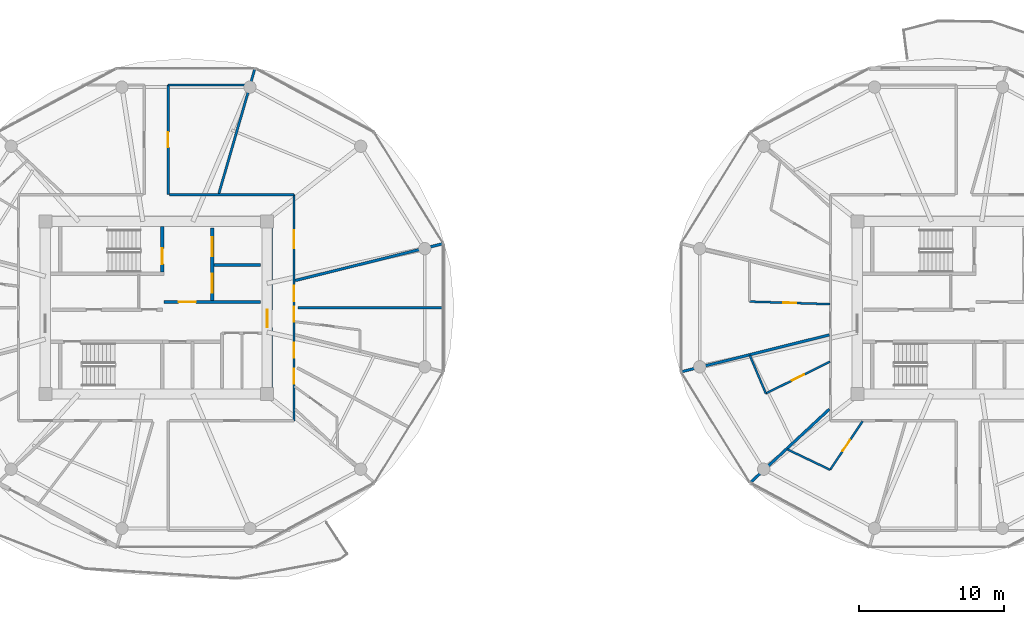
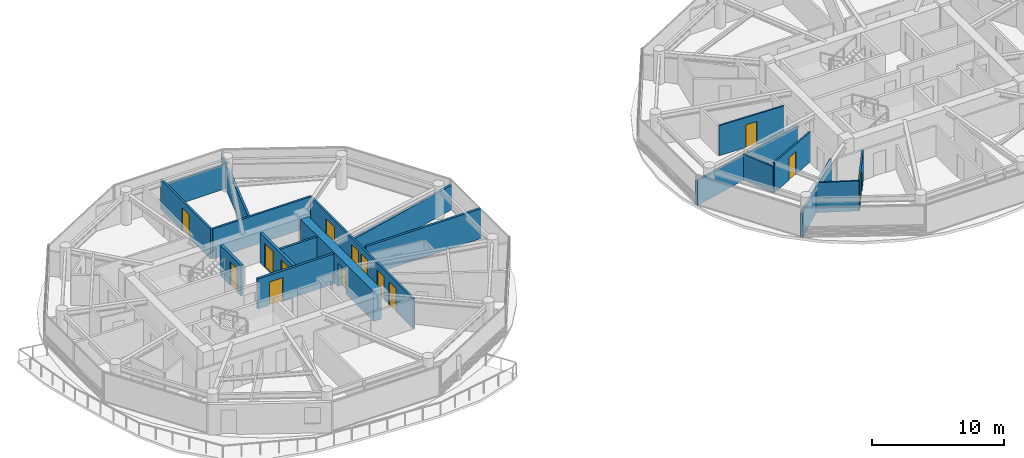
# One storey, part 15 of 24: 19 walls, 14 doors, 14 openings.
"""IFC4 building model written with IfcOpenShell, lengths in metres."""

from ifc_helpers import new_model, si_unit, direction, frame, frame_2d, origin, place, context, subcontext, project, spatial, rectangle, extrude, source, transform, mapped, material, layer, layer_set, type_object, type_shapes, element, fill, save


model = new_model("IFC4")

# Units and contexts
model_context = context("Model", 3, precision=1e-05, world=origin(), true_north=direction((0.0, 1.0)))
body_context = subcontext(model_context, "Body", "Model", "MODEL_VIEW")
ifc_project = project(units=[si_unit("LENGTHUNIT", "METRE"), si_unit("AREAUNIT", "SQUARE_METRE"), si_unit("VOLUMEUNIT", "CUBIC_METRE"), si_unit("PLANEANGLEUNIT", "RADIAN"), si_unit("MASSUNIT", "GRAM", prefix="KILO")], contexts=[model_context])

# Site, building, storey
site_placement = place(None, origin())
site = spatial("IfcSite", under=ifc_project, at=site_placement, CompositionType="ELEMENT")
building_placement = place(site_placement, origin())
building = spatial("IfcBuilding", under=site, at=building_placement, Name="Norrkilde Senior Care Towers", CompositionType="ELEMENT")
storey_placement = place(building_placement, frame((0.0, 0.0, 108.449951171875)))
storey = spatial("IfcBuildingStorey", under=building, at=storey_placement, Name="L33", CompositionType="ELEMENT", Elevation=108.449951171875)

# Wall, opening, door
ifc_material_1 = material(Name="Concrete C60/75", Category="concrete")
ifc_layer_1 = layer(ifc_material_1, 0.719970703125)
ifc_layer_set_1 = layer_set([ifc_layer_1], Name="Concrete C60/75")
wall_type_1 = type_object("IfcWallType", Name="Core Shear Wall Z2 720", PredefinedType="SHEAR", material=ifc_layer_set_1)
shared_shape_1 = source(origin(), body_context, "Body", "SweptSolid", [
    extrude(rectangle(XDim=11.0, YDim=0.719970703125, at=frame_2d((5.5, 0.0))), origin(), (0.0, 0.0, 1.0), 2.7900390625),
])
type_shapes(wall_type_1, [shared_shape_1])
wall_1_placement = place(storey_placement, frame((-20.35009765625, 5.5, 0.0), z_axis=(0.0, 0.0, 1.0), x_axis=(0.0, -1.0, 0.0)))
wall_1 = element("IfcWall", 1, at=wall_1_placement, inside=storey, type_object=wall_type_1, Name="L33 Core W East Shear Wall", PredefinedType="SHEAR", context=body_context, shape_type="MappedRepresentation", body=[
    mapped(shared_shape_1, transform((0.0, 0.0, 0.0), x_axis=(1.0, 0.0, 0.0), y_axis=(0.0, 1.0, 0.0), z_axis=(0.0, 0.0, 1.0), scale=1.0)),
])
opening_1_placement = place(wall_1_placement, frame((5.64990234375, 0.0, 0.0)))
opening_1 = element("IfcOpeningElement", 2, at=opening_1_placement, cuts=wall_1, Name="Opening D-04", PredefinedType="OPENING", context=body_context, shape_type="SweptSolid", body=[
    extrude(rectangle(XDim=1.199951171875, YDim=2.14990234375, at=frame_2d((0.60009765625, 1.074951171875))), frame((0.0, 0.369873046875, 0.0), z_axis=(0.0, -1.0, 0.0), x_axis=(1.0, 0.0, 0.0)), (0.0, 0.0, 1.0), 0.739990234375),
])
ifc_material_2 = material(Name="Galvanised Painted Steel", Category="steel")
door_type_1 = type_object("IfcDoorType", Name="Firefighting Lobby Fire Door 1200x2150", OperationType="NOTDEFINED", PredefinedType="DOOR", material=ifc_material_2)
shared_shape_2 = source(origin(), body_context, "Body", "SweptSolid", [
    extrude(rectangle(XDim=1.199951171875, YDim=2.14990234375, at=frame_2d((0.60009765625, 1.074951171875))), frame((0.0, 0.02490234375, 0.0), z_axis=(0.0, -1.0, 0.0), x_axis=(1.0, 0.0, 0.0)), (0.0, 0.0, 1.0), 0.050048828125),
])
type_shapes(door_type_1, [shared_shape_2])
door_1_placement = place(opening_1_placement, frame((1.199951171875, 0.0, 0.0), z_axis=(0.0, 0.0, 1.0), x_axis=(-1.0, 0.0, 0.0)))
door_1 = element("IfcDoor", 3, at=door_1_placement, inside=storey, type_object=door_type_1, Name="L33 Core W East Portal Door", OperationType="SINGLE_SWING_RIGHT", OverallHeight=2.14990234375, OverallWidth=1.199951171875, PredefinedType="DOOR", context=body_context, shape_type="MappedRepresentation", body=[
    mapped(shared_shape_2, transform((0.0, 0.0, 0.0), x_axis=(1.0, 0.0, 0.0), y_axis=(0.0, 1.0, 0.0), z_axis=(0.0, 0.0, 1.0), scale=1.0)),
])
fill(opening_1, door_1)

# Wall, openings, doors
ifc_material_3 = material(Name="Concrete C45/55", Category="concrete")
ifc_layer_2 = layer(ifc_material_3, 0.239990234375)
ifc_layer_set_2 = layer_set([ifc_layer_2], Name="Concrete C45/55")
wall_type_2 = type_object("IfcWallType", Name="Lift and Plant Rated Enclosure Partition 240", PredefinedType="PARTITIONING", material=ifc_layer_set_2)
shared_shape_3 = source(origin(), body_context, "Body", "SweptSolid", [
    extrude(rectangle(XDim=5.0, YDim=0.239990234375, at=frame_2d((2.5, 0.0))), origin(), (0.0, 0.0, 1.0), 2.775146484375),
])
type_shapes(wall_type_2, [shared_shape_3])
wall_2_placement = place(storey_placement, frame((-24.139892578125, 0.5, 0.0), z_axis=(0.0, 0.0, 1.0), x_axis=(0.0, 1.0, 0.0)))
wall_2 = element("IfcWall", 4, at=wall_2_placement, inside=storey, type_object=wall_type_2, Name="WL-INT-L33-W-FFLE", PredefinedType="PARTITIONING", context=body_context, shape_type="MappedRepresentation", body=[
    mapped(shared_shape_3, transform((0.0, 0.0, 0.0), x_axis=(1.0, 0.0, 0.0), y_axis=(0.0, 1.0, 0.0), z_axis=(0.0, 0.0, 1.0), scale=1.0)),
])
opening_2_placement = place(wall_2_placement, frame((3.050048828125, 0.0, 0.0)))
opening_2 = element("IfcOpeningElement", 5, at=opening_2_placement, cuts=wall_2, Name="Opening LD-02", PredefinedType="OPENING", context=body_context, shape_type="SweptSolid", body=[
    extrude(rectangle(XDim=1.300048828125, YDim=2.199951171875, at=frame_2d((0.64990234375, 1.10009765625))), frame((0.0, 0.1298828125, 0.0), z_axis=(0.0, -1.0, 0.0), x_axis=(1.0, 0.0, 0.0)), (0.0, 0.0, 1.0), 0.260009765625),
])
opening_3_placement = place(wall_2_placement, frame((0.550048828125, 0.0, 0.0)))
opening_3 = element("IfcOpeningElement", 6, at=opening_3_placement, cuts=wall_2, Name="Opening LD-02", PredefinedType="OPENING", context=body_context, shape_type="SweptSolid", body=[
    extrude(rectangle(XDim=1.300048828125, YDim=2.199951171875, at=frame_2d((0.64990234375, 1.10009765625))), frame((0.0, 0.1298828125, 0.0), z_axis=(0.0, -1.0, 0.0), x_axis=(1.0, 0.0, 0.0)), (0.0, 0.0, 1.0), 0.260009765625),
])
ifc_material_4 = material(Name="Stainless Steel", Category="steel")
door_type_2 = type_object("IfcDoorType", Name="Stretcher and FFL Landing Sliding Door 1300x2200", OperationType="NOTDEFINED", PredefinedType="DOOR", material=ifc_material_4)
shared_shape_4 = source(origin(), body_context, "Body", "SweptSolid", [
    extrude(rectangle(XDim=1.300048828125, YDim=2.199951171875, at=frame_2d((0.64990234375, 1.10009765625))), frame((0.0, 0.02490234375, 0.0), z_axis=(0.0, -1.0, 0.0), x_axis=(1.0, 0.0, 0.0)), (0.0, 0.0, 1.0), 0.050048828125),
])
type_shapes(door_type_2, [shared_shape_4])
door_2_placement = place(opening_2_placement, origin())
door_2 = element("IfcDoor", 7, at=door_2_placement, inside=storey, type_object=door_type_2, Name="L33 Firefighting Lift W1 Landing Door", OperationType="SLIDING_TO_LEFT", OverallHeight=2.199951171875, OverallWidth=1.300048828125, PredefinedType="DOOR", context=body_context, shape_type="MappedRepresentation", body=[
    mapped(shared_shape_4, transform((0.0, 0.0, 0.0), x_axis=(1.0, 0.0, 0.0), y_axis=(0.0, 1.0, 0.0), z_axis=(0.0, 0.0, 1.0), scale=1.0)),
])
fill(opening_2, door_2)
door_3_placement = place(opening_3_placement, origin())
door_3 = element("IfcDoor", 8, at=door_3_placement, inside=storey, type_object=door_type_2, Name="L33 Stretcher Lift W1 Landing Door", OperationType="SLIDING_TO_RIGHT", OverallHeight=2.199951171875, OverallWidth=1.300048828125, PredefinedType="DOOR", context=body_context, shape_type="MappedRepresentation", body=[
    mapped(shared_shape_4, transform((0.0, 0.0, 0.0), x_axis=(1.0, 0.0, 0.0), y_axis=(0.0, 1.0, 0.0), z_axis=(0.0, 0.0, 1.0), scale=1.0)),
])
fill(opening_3, door_3)

# Wall
ifc_layer_3 = layer(ifc_material_3, 0.199951171875)
ifc_layer_set_3 = layer_set([ifc_layer_3], Name="Concrete C45/55")
wall_type_3 = type_object("IfcWallType", Name="Shaft Division and Plant Partition 200", PredefinedType="PARTITIONING", material=ifc_layer_set_3)
shared_shape_5 = source(origin(), body_context, "Body", "SweptSolid", [
    extrude(rectangle(XDim=3.199951171875, YDim=0.199951171875, at=frame_2d((1.60009765625, 0.0))), origin(), (0.0, 0.0, 1.0), 2.775146484375),
])
type_shapes(wall_type_3, [shared_shape_5])
wall_3_placement = place(storey_placement, frame((-24.0, 2.949951171875, 0.0), z_axis=(0.0, 0.0, 1.0), x_axis=(1.0, 0.0, 0.0)))
element("IfcWall", 9, at=wall_3_placement, inside=storey, type_object=wall_type_3, Name="WL-INT-L33-W-FFLDIV", PredefinedType="PARTITIONING", context=body_context, shape_type="MappedRepresentation", body=[
    mapped(shared_shape_5, transform((0.0, 0.0, 0.0), x_axis=(1.0, 0.0, 0.0), y_axis=(0.0, 1.0, 0.0), z_axis=(0.0, 0.0, 1.0), scale=1.0)),
])

# Wall, opening, door
ifc_layer_4 = layer(ifc_material_3, 0.2099609375)
ifc_layer_set_4 = layer_set([ifc_layer_4], Name="Concrete C45/55")
wall_type_4 = type_object("IfcWallType", Name="Firefighting Lobby Wall 210", PredefinedType="PARTITIONING", material=ifc_layer_set_4)
shared_shape_6 = source(origin(), body_context, "Body", "SweptSolid", [
    extrude(rectangle(XDim=6.659912109375, YDim=0.2099609375, at=frame_2d((3.330078125, 0.0))), origin(), (0.0, 0.0, 1.0), 2.775146484375),
])
type_shapes(wall_type_4, [shared_shape_6])
wall_4_placement = place(storey_placement, frame((-27.4599609375, 0.389892578125, 0.0), z_axis=(0.0, 0.0, 1.0), x_axis=(1.0, 0.0, 0.0)))
wall_4 = element("IfcWall", 10, at=wall_4_placement, inside=storey, type_object=wall_type_4, Name="WL-INT-L33-W-FFLS", PredefinedType="PARTITIONING", context=body_context, shape_type="MappedRepresentation", body=[
    mapped(shared_shape_6, transform((0.0, 0.0, 0.0), x_axis=(1.0, 0.0, 0.0), y_axis=(0.0, 1.0, 0.0), z_axis=(0.0, 0.0, 1.0), scale=1.0)),
])
opening_4_placement = place(wall_4_placement, frame((1.0, 0.0, 0.0)))
opening_4 = element("IfcOpeningElement", 11, at=opening_4_placement, cuts=wall_4, Name="Opening D-04", PredefinedType="OPENING", context=body_context, shape_type="SweptSolid", body=[
    extrude(rectangle(XDim=1.199951171875, YDim=2.14990234375, at=frame_2d((0.60009765625, 1.074951171875))), frame((0.0, 0.114990234375, 0.0), z_axis=(0.0, -1.0, 0.0), x_axis=(1.0, 0.0, 0.0)), (0.0, 0.0, 1.0), 0.22998046875),
])
door_4_placement = place(opening_4_placement, frame((1.199951171875, 0.0, 0.0), z_axis=(0.0, 0.0, 1.0), x_axis=(-1.0, 0.0, 0.0)))
door_4 = element("IfcDoor", 12, at=door_4_placement, inside=storey, type_object=door_type_1, Name="L33 Firefighting Lobby W Door", OperationType="SINGLE_SWING_LEFT", OverallHeight=2.14990234375, OverallWidth=1.199951171875, PredefinedType="DOOR", context=body_context, shape_type="MappedRepresentation", body=[
    mapped(shared_shape_2, transform((0.0, 0.0, 0.0), x_axis=(1.0, 0.0, 0.0), y_axis=(0.0, 1.0, 0.0), z_axis=(0.0, 0.0, 1.0), scale=1.0)),
])
fill(opening_4, door_4)

# Wall, openings, doors
ifc_material_5 = material(Name="Gypsum Acoustic Board")
ifc_layer_5 = layer(ifc_material_5, 0.1650390625)
ifc_layer_set_5 = layer_set([ifc_layer_5], Name="Gypsum Acoustic Board")
wall_type_5 = type_object("IfcWallType", Name="Corridor Rated Partition 165", PredefinedType="PARTITIONING", material=ifc_layer_set_5)
shared_shape_7 = source(origin(), body_context, "Body", "SweptSolid", [
    extrude(rectangle(XDim=15.60009765625, YDim=0.1650390625, at=frame_2d((7.800048828125, 0.0))), origin(), (0.0, 0.0, 1.0), 2.775146484375),
])
wall_5_placement = place(storey_placement, frame((-18.5, 7.800048828125, 0.0), z_axis=(0.0, 0.0, 1.0), x_axis=(0.0, -1.0, 0.0)))
wall_5 = element("IfcWall", 13, at=wall_5_placement, inside=storey, type_object=wall_type_5, Name="WL-INT-L33-W-CRW-E-0", PredefinedType="PARTITIONING", context=body_context, shape_type="MappedRepresentation", body=[
    mapped(shared_shape_7, transform((0.0, 0.0, 0.0), x_axis=(1.0, 0.0, 0.0), y_axis=(0.0, 1.0, 0.0), z_axis=(0.0, 0.0, 1.0), scale=1.0)),
])
opening_5_placement = place(wall_5_placement, frame((12.001953125, 0.0, 0.0)))
opening_5 = element("IfcOpeningElement", 14, at=opening_5_placement, cuts=wall_5, Name="Opening D-06", PredefinedType="OPENING", context=body_context, shape_type="SweptSolid", body=[
    extrude(rectangle(XDim=1.050048828125, YDim=2.14990234375, at=frame_2d((0.52490234375, 1.074951171875))), frame((0.0, 0.092529296875, 0.0), z_axis=(0.0, -1.0, 0.0), x_axis=(1.0, 0.0, 0.0)), (0.0, 0.0, 1.0), 0.18505859375),
])
opening_6_placement = place(wall_5_placement, frame((10.210693359375, 0.0, 0.0)))
opening_6 = element("IfcOpeningElement", 15, at=opening_6_placement, cuts=wall_5, Name="Opening D-06", PredefinedType="OPENING", context=body_context, shape_type="SweptSolid", body=[
    extrude(rectangle(XDim=1.050048828125, YDim=2.14990234375, at=frame_2d((0.52490234375, 1.074951171875))), frame((0.0, 0.092529296875, 0.0), z_axis=(0.0, -1.0, 0.0), x_axis=(1.0, 0.0, 0.0)), (0.0, 0.0, 1.0), 0.18505859375),
])
opening_7_placement = place(wall_5_placement, frame((7.721923828125, 0.0, 0.0)))
opening_7 = element("IfcOpeningElement", 16, at=opening_7_placement, cuts=wall_5, Name="Opening D-06", PredefinedType="OPENING", context=body_context, shape_type="SweptSolid", body=[
    extrude(rectangle(XDim=1.050048828125, YDim=2.14990234375, at=frame_2d((0.52490234375, 1.074951171875))), frame((0.0, 0.092529296875, 0.0), z_axis=(0.0, -1.0, 0.0), x_axis=(1.0, 0.0, 0.0)), (0.0, 0.0, 1.0), 0.18505859375),
])
opening_8_placement = place(wall_5_placement, frame((6.290771484375, 0.0, 0.0)))
opening_8 = element("IfcOpeningElement", 17, at=opening_8_placement, cuts=wall_5, Name="Opening D-06", PredefinedType="OPENING", context=body_context, shape_type="SweptSolid", body=[
    extrude(rectangle(XDim=1.050048828125, YDim=2.14990234375, at=frame_2d((0.52490234375, 1.074951171875))), frame((0.0, 0.092529296875, 0.0), z_axis=(0.0, -1.0, 0.0), x_axis=(1.0, 0.0, 0.0)), (0.0, 0.0, 1.0), 0.18505859375),
])
opening_9_placement = place(wall_5_placement, frame((2.464599609375, 0.0, 0.0)))
opening_9 = element("IfcOpeningElement", 18, at=opening_9_placement, cuts=wall_5, Name="Opening D-05", PredefinedType="OPENING", context=body_context, shape_type="SweptSolid", body=[
    extrude(rectangle(XDim=1.25, YDim=2.199951171875, at=frame_2d((0.625, 1.10009765625))), frame((0.0, 0.092529296875, 0.0), z_axis=(0.0, -1.0, 0.0), x_axis=(1.0, 0.0, 0.0)), (0.0, 0.0, 1.0), 0.18505859375),
])
ifc_material_6 = material(Name="Nordic Ash Timber", Category="wood")
door_type_3 = type_object("IfcDoorType", Name="Care Bedroom Bariatric Door 1250x2200", OperationType="NOTDEFINED", PredefinedType="DOOR", material=ifc_material_6)
shared_shape_8 = source(origin(), body_context, "Body", "SweptSolid", [
    extrude(rectangle(XDim=1.25, YDim=2.199951171875, at=frame_2d((0.625, 1.10009765625))), frame((0.0, 0.02490234375, 0.0), z_axis=(0.0, -1.0, 0.0), x_axis=(1.0, 0.0, 0.0)), (0.0, 0.0, 1.0), 0.050048828125),
])
type_shapes(door_type_3, [shared_shape_8])
door_5_placement = place(opening_9_placement, frame((1.25, 0.0, 0.0), z_axis=(0.0, 0.0, 1.0), x_axis=(-1.0, 0.0, 0.0)))
door_5 = element("IfcDoor", 19, at=door_5_placement, inside=storey, type_object=door_type_3, Name="L33 Resident Family Conference Room Door", OperationType="SINGLE_SWING_LEFT", OverallHeight=2.199951171875, OverallWidth=1.25, PredefinedType="DOOR", context=body_context, shape_type="MappedRepresentation", body=[
    mapped(shared_shape_8, transform((0.0, 0.0, 0.0), x_axis=(1.0, 0.0, 0.0), y_axis=(0.0, 1.0, 0.0), z_axis=(0.0, 0.0, 1.0), scale=1.0)),
])
fill(opening_9, door_5)
door_type_4 = type_object("IfcDoorType", Name="Apartment Entrance Fire Door 1050x2150", OperationType="NOTDEFINED", PredefinedType="DOOR", material=ifc_material_6)
shared_shape_9 = source(origin(), body_context, "Body", "SweptSolid", [
    extrude(rectangle(XDim=1.050048828125, YDim=2.14990234375, at=frame_2d((0.52490234375, 1.074951171875))), frame((0.0, 0.02490234375, 0.0), z_axis=(0.0, -1.0, 0.0), x_axis=(1.0, 0.0, 0.0)), (0.0, 0.0, 1.0), 0.050048828125),
])
type_shapes(door_type_4, [shared_shape_9])
door_6_placement = place(opening_5_placement, frame((1.050048828125, 0.0, 0.0), z_axis=(0.0, 0.0, 1.0), x_axis=(-1.0, 0.0, 0.0)))
door_6 = element("IfcDoor", 20, at=door_6_placement, inside=storey, type_object=door_type_4, Name="L33 Care Suite 3310A Entrance Door", OperationType="SINGLE_SWING_LEFT", OverallHeight=2.14990234375, OverallWidth=1.050048828125, PredefinedType="DOOR", context=body_context, shape_type="MappedRepresentation", body=[
    mapped(shared_shape_9, transform((0.0, 0.0, 0.0), x_axis=(1.0, 0.0, 0.0), y_axis=(0.0, 1.0, 0.0), z_axis=(0.0, 0.0, 1.0), scale=1.0)),
])
fill(opening_5, door_6)
door_7_placement = place(opening_6_placement, frame((1.050048828125, 0.0, 0.0), z_axis=(0.0, 0.0, 1.0), x_axis=(-1.0, 0.0, 0.0)))
door_7 = element("IfcDoor", 21, at=door_7_placement, inside=storey, type_object=door_type_4, Name="L33 Therapy Day Lounge 10 Door", OperationType="SINGLE_SWING_RIGHT", OverallHeight=2.14990234375, OverallWidth=1.050048828125, PredefinedType="DOOR", context=body_context, shape_type="MappedRepresentation", body=[
    mapped(shared_shape_9, transform((0.0, 0.0, 0.0), x_axis=(1.0, 0.0, 0.0), y_axis=(0.0, 1.0, 0.0), z_axis=(0.0, 0.0, 1.0), scale=1.0)),
])
fill(opening_6, door_7)
door_8_placement = place(opening_7_placement, frame((1.050048828125, 0.0, 0.0), z_axis=(0.0, 0.0, 1.0), x_axis=(-1.0, 0.0, 0.0)))
door_8 = element("IfcDoor", 22, at=door_8_placement, inside=storey, type_object=door_type_4, Name="L33 Care Suite 3311A Entrance Door", OperationType="SINGLE_SWING_RIGHT", OverallHeight=2.14990234375, OverallWidth=1.050048828125, PredefinedType="DOOR", context=body_context, shape_type="MappedRepresentation", body=[
    mapped(shared_shape_9, transform((0.0, 0.0, 0.0), x_axis=(1.0, 0.0, 0.0), y_axis=(0.0, 1.0, 0.0), z_axis=(0.0, 0.0, 1.0), scale=1.0)),
])
fill(opening_7, door_8)
door_9_placement = place(opening_8_placement, frame((1.050048828125, 0.0, 0.0), z_axis=(0.0, 0.0, 1.0), x_axis=(-1.0, 0.0, 0.0)))
door_9 = element("IfcDoor", 23, at=door_9_placement, inside=storey, type_object=door_type_4, Name="L33 Therapy Day Lounge 11 Door", OperationType="SINGLE_SWING_LEFT", OverallHeight=2.14990234375, OverallWidth=1.050048828125, PredefinedType="DOOR", context=body_context, shape_type="MappedRepresentation", body=[
    mapped(shared_shape_9, transform((0.0, 0.0, 0.0), x_axis=(1.0, 0.0, 0.0), y_axis=(0.0, 1.0, 0.0), z_axis=(0.0, 0.0, 1.0), scale=1.0)),
])
fill(opening_8, door_9)

# Wall, opening, door
ifc_layer_6 = layer(ifc_material_3, 0.239990234375)
ifc_layer_set_6 = layer_set([ifc_layer_6], Name="Concrete C45/55")
wall_type_6 = type_object("IfcWallType", Name="Shaft and Stair Enclosure Wall 240", PredefinedType="PARTITIONING", material=ifc_layer_set_6)
shared_shape_10 = source(origin(), body_context, "Body", "SweptSolid", [
    extrude(rectangle(XDim=3.14013671875, YDim=0.239990234375, at=frame_2d((1.570068359375, 0.0))), origin(), (0.0, 0.0, 1.0), 2.7900390625),
])
type_shapes(wall_type_6, [shared_shape_10])
wall_6_placement = place(storey_placement, frame((-27.580078125, 2.449951171875, 0.0), z_axis=(0.0, 0.0, 1.0), x_axis=(0.0, 1.0, 0.0)))
wall_6 = element("IfcWall", 24, at=wall_6_placement, inside=storey, type_object=wall_type_6, Name="WL-INT-L33-W-ST1E", PredefinedType="PARTITIONING", context=body_context, shape_type="MappedRepresentation", body=[
    mapped(shared_shape_10, transform((0.0, 0.0, 0.0), x_axis=(1.0, 0.0, 0.0), y_axis=(0.0, 1.0, 0.0), z_axis=(0.0, 0.0, 1.0), scale=1.0)),
])
opening_10_placement = place(wall_6_placement, frame((0.550048828125, 0.0, 0.0)))
opening_10 = element("IfcOpeningElement", 25, at=opening_10_placement, cuts=wall_6, Name="Opening D-03", PredefinedType="OPENING", context=body_context, shape_type="SweptSolid", body=[
    extrude(rectangle(XDim=1.10009765625, YDim=2.14990234375, at=frame_2d((0.550048828125, 1.074951171875))), frame((0.0, 0.1298828125, 0.0), z_axis=(0.0, -1.0, 0.0), x_axis=(1.0, 0.0, 0.0)), (0.0, 0.0, 1.0), 0.260009765625),
])
door_type_5 = type_object("IfcDoorType", Name="Stairwell Protected Fire Door 1100x2150", OperationType="NOTDEFINED", PredefinedType="DOOR", material=ifc_material_2)
shared_shape_11 = source(origin(), body_context, "Body", "SweptSolid", [
    extrude(rectangle(XDim=1.10009765625, YDim=2.14990234375, at=frame_2d((0.550048828125, 1.074951171875))), frame((0.0, 0.02490234375, 0.0), z_axis=(0.0, -1.0, 0.0), x_axis=(1.0, 0.0, 0.0)), (0.0, 0.0, 1.0), 0.050048828125),
])
type_shapes(door_type_5, [shared_shape_11])
door_10_placement = place(opening_10_placement, origin())
door_10 = element("IfcDoor", 26, at=door_10_placement, inside=storey, type_object=door_type_5, Name="L33 Stair W1 Fire Door", OperationType="SINGLE_SWING_LEFT", OverallHeight=2.14990234375, OverallWidth=1.10009765625, PredefinedType="DOOR", context=body_context, shape_type="MappedRepresentation", body=[
    mapped(shared_shape_11, transform((0.0, 0.0, 0.0), x_axis=(1.0, 0.0, 0.0), y_axis=(0.0, 1.0, 0.0), z_axis=(0.0, 0.0, 1.0), scale=1.0)),
])
fill(opening_10, door_10)

# Walls
ifc_layer_7 = layer(ifc_material_5, 0.18994140625)
ifc_layer_set_7 = layer_set([ifc_layer_7], Name="Gypsum Acoustic Board")
wall_type_7 = type_object("IfcWallType", Name="Unit Demising Acoustic Wall 190", PredefinedType="PARTITIONING", material=ifc_layer_set_7)
shared_shape_12 = source(origin(), body_context, "Body", "SweptSolid", [
    extrude(rectangle(XDim=7.482177734375, YDim=0.18994140625, at=frame_2d((3.7412109375, 0.0))), origin(), (0.0, 0.0, 1.0), 2.275146484375),
])
wall_7_placement = place(storey_placement, frame((18.419921875, -6.998046875, 0.0), z_axis=(0.0, 0.0, 1.0), x_axis=(-0.732508698043, -0.680757671489, 0.0)))
element("IfcWall", 27, at=wall_7_placement, inside=storey, type_object=wall_type_7, Name="WL-INT-L33-E-DEM-07-0", PredefinedType="PARTITIONING", context=body_context, shape_type="MappedRepresentation", body=[
    mapped(shared_shape_12, transform((0.0, 0.0, 0.0), x_axis=(1.0, 0.0, 0.0), y_axis=(0.0, 1.0, 0.0), z_axis=(0.0, 0.0, 1.0), scale=1.0)),
])
shared_shape_13 = source(origin(), body_context, "Body", "SweptSolid", [
    extrude(rectangle(XDim=10.5556640625, YDim=0.18994140625, at=frame_2d((5.27783203125, 0.0))), origin(), (0.0, 0.0, 1.0), 2.275146484375),
])
for number, where, z_axis, x_axis, name in (
    (28, (-18.419921875, 1.875, 0.0), (0.0, 0.0, 1.0), (0.970363857851, 0.241648470667, 0.0), "WL-INT-L33-W-DEM-00-0"),
    (29, (18.419921875, -1.875, 0.0), (0.0, 0.0, 1.0), (-0.970363857851, -0.241648470667, 0.0), "WL-INT-L33-E-DEM-06-0"),
):
    element("IfcWall", number, at=place(storey_placement, frame(where, z_axis=z_axis, x_axis=x_axis)), inside=storey, type_object=wall_type_7, Name=name, PredefinedType="PARTITIONING", context=body_context, shape_type="MappedRepresentation", body=[
        mapped(shared_shape_13, transform((0.0, 0.0, 0.0), x_axis=(1.0, 0.0, 0.0), y_axis=(0.0, 1.0, 0.0), z_axis=(0.0, 0.0, 1.0), scale=1.0)),
    ])
shared_shape_14 = source(origin(), body_context, "Body", "SweptSolid", [
    extrude(rectangle(XDim=8.60009765625, YDim=0.1650390625, at=frame_2d((4.300048828125, 0.0))), origin(), (0.0, 0.0, 1.0), 2.775146484375),
])
wall_8_placement = place(storey_placement, frame((-27.10009765625, 7.800048828125, 0.0), z_axis=(0.0, 0.0, 1.0), x_axis=(1.0, 0.0, 0.0)))
element("IfcWall", 30, at=wall_8_placement, inside=storey, type_object=wall_type_5, Name="WL-INT-L33-W-CRW-N-1", PredefinedType="PARTITIONING", context=body_context, shape_type="MappedRepresentation", body=[
    mapped(shared_shape_14, transform((0.0, 0.0, 0.0), x_axis=(1.0, 0.0, 0.0), y_axis=(0.0, 1.0, 0.0), z_axis=(0.0, 0.0, 1.0), scale=1.0)),
])
shared_shape_15 = source(origin(), body_context, "Body", "SweptSolid", [
    extrude(rectangle(XDim=8.9892578125, YDim=0.1650390625, at=frame_2d((4.49462890625, 0.0))), origin(), (0.0, 0.0, 1.0), 2.275146484375),
])
wall_9_placement = place(storey_placement, frame((-23.677978515625, 7.8798828125, 0.0), z_axis=(0.0, 0.0, 1.0), x_axis=(0.27702323008, 0.960863221274, 0.0)))
element("IfcWall", 31, at=wall_9_placement, inside=storey, type_object=wall_type_5, Name="WL-INT-L33-W-DEM-02-0", PredefinedType="PARTITIONING", context=body_context, shape_type="MappedRepresentation", body=[
    mapped(shared_shape_15, transform((0.0, 0.0, 0.0), x_axis=(1.0, 0.0, 0.0), y_axis=(0.0, 1.0, 0.0), z_axis=(0.0, 0.0, 1.0), scale=1.0)),
])

# Wall, opening, door
shared_shape_16 = source(origin(), body_context, "Body", "SweptSolid", [
    extrude(rectangle(XDim=7.56005859375, YDim=0.1650390625, at=frame_2d((3.780029296875, 0.0))), origin(), (0.0, 0.0, 1.0), 2.775146484375),
])
wall_10_placement = place(storey_placement, frame((-27.179931640625, 7.800048828125, 0.0), z_axis=(0.0, 0.0, 1.0), x_axis=(0.0, 1.0, 0.0)))
wall_10 = element("IfcWall", 32, at=wall_10_placement, inside=storey, type_object=wall_type_5, Name="WL-INT-L33-W-PKW-NEL", PredefinedType="PARTITIONING", context=body_context, shape_type="MappedRepresentation", body=[
    mapped(shared_shape_16, transform((0.0, 0.0, 0.0), x_axis=(1.0, 0.0, 0.0), y_axis=(0.0, 1.0, 0.0), z_axis=(0.0, 0.0, 1.0), scale=1.0)),
])
opening_11_placement = place(wall_10_placement, frame((3.2548828125, 0.0, 0.0)))
opening_11 = element("IfcOpeningElement", 33, at=opening_11_placement, cuts=wall_10, Name="Opening D-06", PredefinedType="OPENING", context=body_context, shape_type="SweptSolid", body=[
    extrude(rectangle(XDim=1.050048828125, YDim=2.14990234375, at=frame_2d((0.52490234375, 1.074951171875))), frame((0.0, 0.092529296875, 0.0), z_axis=(0.0, -1.0, 0.0), x_axis=(1.0, 0.0, 0.0)), (0.0, 0.0, 1.0), 0.18505859375),
])
door_11_placement = place(opening_11_placement, frame((1.050048828125, 0.0, 0.0), z_axis=(0.0, 0.0, 1.0), x_axis=(-1.0, 0.0, 0.0)))
door_11 = element("IfcDoor", 34, at=door_11_placement, inside=storey, type_object=door_type_4, Name="L33 Reading Lounge NEL Door", OperationType="SINGLE_SWING_RIGHT", OverallHeight=2.14990234375, OverallWidth=1.050048828125, PredefinedType="DOOR", context=body_context, shape_type="MappedRepresentation", body=[
    mapped(shared_shape_9, transform((0.0, 0.0, 0.0), x_axis=(1.0, 0.0, 0.0), y_axis=(0.0, 1.0, 0.0), z_axis=(0.0, 0.0, 1.0), scale=1.0)),
])
fill(opening_11, door_11)

# Walls
shared_shape_17 = source(origin(), body_context, "Body", "SweptSolid", [
    extrude(rectangle(XDim=5.81396484375, YDim=0.1650390625, at=frame_2d((2.906982421875, 0.0))), origin(), (0.0, 0.0, 1.0), 2.275146484375),
])
type_shapes(wall_type_5, [shared_shape_7, shared_shape_14, shared_shape_15, shared_shape_16, shared_shape_17])
wall_11_placement = place(storey_placement, frame((-27.179931640625, 15.360107421875, 0.0), z_axis=(0.0, 0.0, 1.0), x_axis=(1.0, 0.0, 0.0)))
element("IfcWall", 35, at=wall_11_placement, inside=storey, type_object=wall_type_5, Name="WL-INT-L33-W-PKH-NEL-0", PredefinedType="PARTITIONING", context=body_context, shape_type="MappedRepresentation", body=[
    mapped(shared_shape_17, transform((0.0, 0.0, 0.0), x_axis=(1.0, 0.0, 0.0), y_axis=(0.0, 1.0, 0.0), z_axis=(0.0, 0.0, 1.0), scale=1.0)),
])
shared_shape_18 = source(origin(), body_context, "Body", "SweptSolid", [
    extrude(rectangle(XDim=10.035888671875, YDim=0.18994140625, at=frame_2d((5.01806640625, 0.0))), origin(), (0.0, 0.0, 1.0), 2.775146484375),
])
type_shapes(wall_type_7, [shared_shape_12, shared_shape_13, shared_shape_18])
wall_12_placement = place(storey_placement, frame((-18.212890625, 0.0, 0.0), z_axis=(0.0, 0.0, 1.0), x_axis=(1.0, 0.0, 0.0)))
element("IfcWall", 36, at=wall_12_placement, inside=storey, type_object=wall_type_7, Name="WL-INT-L33-W-CMID-11", PredefinedType="PARTITIONING", context=body_context, shape_type="MappedRepresentation", body=[
    mapped(shared_shape_18, transform((0.0, 0.0, 0.0), x_axis=(1.0, 0.0, 0.0), y_axis=(0.0, 1.0, 0.0), z_axis=(0.0, 0.0, 1.0), scale=1.0)),
])

# Wall, opening, door
ifc_layer_8 = layer(ifc_material_5, 0.139892578125)
ifc_layer_set_8 = layer_set([ifc_layer_8], Name="Gypsum Acoustic Board")
wall_type_8 = type_object("IfcWallType", Name="En-suite Wet Room Wall 140", PredefinedType="PARTITIONING", material=ifc_layer_set_8)
shared_shape_19 = source(origin(), body_context, "Body", "SweptSolid", [
    extrude(rectangle(XDim=4.02734375, YDim=0.139892578125, at=frame_2d((2.013671875, 0.0))), origin(), (0.0, 0.0, 1.0), 2.775146484375),
])
wall_13_placement = place(storey_placement, frame((20.714111328125, -7.830078125, 0.0), z_axis=(0.0, 0.0, 1.0), x_axis=(-0.555832825922, -0.831294093343, 0.0)))
wall_13 = element("IfcWall", 37, at=wall_13_placement, inside=storey, type_object=wall_type_8, Name="WL-INT-L33-E-ES-07", PredefinedType="PARTITIONING", context=body_context, shape_type="MappedRepresentation", body=[
    mapped(shared_shape_19, transform((0.0, 0.0, 0.0), x_axis=(1.0, 0.0, 0.0), y_axis=(0.0, 1.0, 0.0), z_axis=(0.0, 0.0, 1.0), scale=1.0)),
])
opening_12_placement = place(wall_13_placement, frame((1.5537109375, 0.0, 0.0)))
opening_12 = element("IfcOpeningElement", 38, at=opening_12_placement, cuts=wall_13, Name="Opening D-08", PredefinedType="OPENING", context=body_context, shape_type="SweptSolid", body=[
    extrude(rectangle(XDim=0.919921875, YDim=2.10009765625, at=frame_2d((0.4599609375, 1.050048828125))), frame((0.0, 0.079833984375, 0.0), z_axis=(0.0, -1.0, 0.0), x_axis=(1.0, 0.0, 0.0)), (0.0, 0.0, 1.0), 0.159912109375),
])
door_type_6 = type_object("IfcDoorType", Name="Accessible Wet Room Door 920x2100", OperationType="NOTDEFINED", PredefinedType="DOOR", material=ifc_material_6)
shared_shape_20 = source(origin(), body_context, "Body", "SweptSolid", [
    extrude(rectangle(XDim=0.919921875, YDim=2.10009765625, at=frame_2d((0.4599609375, 1.050048828125))), frame((0.0, 0.02490234375, 0.0), z_axis=(0.0, -1.0, 0.0), x_axis=(1.0, 0.0, 0.0)), (0.0, 0.0, 1.0), 0.050048828125),
])
type_shapes(door_type_6, [shared_shape_20])
door_12_placement = place(opening_12_placement, origin())
door_12 = element("IfcDoor", 39, at=door_12_placement, inside=storey, type_object=door_type_6, Name="L33 Studio 33D Bathroom Door", OperationType="SINGLE_SWING_LEFT", OverallHeight=2.10009765625, OverallWidth=0.919921875, PredefinedType="DOOR", context=body_context, shape_type="MappedRepresentation", body=[
    mapped(shared_shape_20, transform((0.0, 0.0, 0.0), x_axis=(1.0, 0.0, 0.0), y_axis=(0.0, 1.0, 0.0), z_axis=(0.0, 0.0, 1.0), scale=1.0)),
])
fill(opening_12, door_12)

# Wall
shared_shape_21 = source(origin(), body_context, "Body", "SweptSolid", [
    extrude(rectangle(XDim=3.291015625, YDim=0.139892578125, at=frame_2d((1.6455078125, 0.0))), origin(), (0.0, 0.0, 1.0), 2.775146484375),
])
wall_14_placement = place(storey_placement, frame((18.4755859375, -11.177978515625, 0.0), z_axis=(0.0, 0.0, 1.0), x_axis=(-0.902381393443, 0.430938302739, 0.0)))
element("IfcWall", 40, at=wall_14_placement, inside=storey, type_object=wall_type_8, Name="WL-INT-L33-E-EF-07", PredefinedType="PARTITIONING", context=body_context, shape_type="MappedRepresentation", body=[
    mapped(shared_shape_21, transform((0.0, 0.0, 0.0), x_axis=(1.0, 0.0, 0.0), y_axis=(0.0, 1.0, 0.0), z_axis=(0.0, 0.0, 1.0), scale=1.0)),
])

# Wall, opening, door
shared_shape_22 = source(origin(), body_context, "Body", "SweptSolid", [
    extrude(rectangle(XDim=5.556884765625, YDim=0.139892578125, at=frame_2d((2.7783203125, 0.0))), origin(), (0.0, 0.0, 1.0), 2.775146484375),
])
wall_15_placement = place(storey_placement, frame((18.469970703125, 0.244140625, 0.0), z_axis=(0.0, 0.0, 1.0), x_axis=(-0.999468495627, 0.03259948234, 0.0)))
wall_15 = element("IfcWall", 41, at=wall_15_placement, inside=storey, type_object=wall_type_8, Name="WL-INT-L33-E-ES-05", PredefinedType="PARTITIONING", context=body_context, shape_type="MappedRepresentation", body=[
    mapped(shared_shape_22, transform((0.0, 0.0, 0.0), x_axis=(1.0, 0.0, 0.0), y_axis=(0.0, 1.0, 0.0), z_axis=(0.0, 0.0, 1.0), scale=1.0)),
])
opening_13_placement = place(wall_15_placement, frame((2.318359375, 0.0, 0.0)))
opening_13 = element("IfcOpeningElement", 42, at=opening_13_placement, cuts=wall_15, Name="Opening D-08", PredefinedType="OPENING", context=body_context, shape_type="SweptSolid", body=[
    extrude(rectangle(XDim=0.919921875, YDim=2.10009765625, at=frame_2d((0.4599609375, 1.050048828125))), frame((0.0, 0.079833984375, 0.0), z_axis=(0.0, -1.0, 0.0), x_axis=(1.0, 0.0, 0.0)), (0.0, 0.0, 1.0), 0.159912109375),
])
door_13_placement = place(opening_13_placement, origin())
door_13 = element("IfcDoor", 43, at=door_13_placement, inside=storey, type_object=door_type_6, Name="L33 Studio 33B Bathroom Door", OperationType="SINGLE_SWING_LEFT", OverallHeight=2.10009765625, OverallWidth=0.919921875, PredefinedType="DOOR", context=body_context, shape_type="MappedRepresentation", body=[
    mapped(shared_shape_20, transform((0.0, 0.0, 0.0), x_axis=(1.0, 0.0, 0.0), y_axis=(0.0, 1.0, 0.0), z_axis=(0.0, 0.0, 1.0), scale=1.0)),
])
fill(opening_13, door_13)

shared_shape_23 = source(origin(), body_context, "Body", "SweptSolid", [
    extrude(rectangle(XDim=4.94140625, YDim=0.139892578125, at=frame_2d((2.470703125, 0.0))), origin(), (0.0, 0.0, 1.0), 2.775146484375),
])
wall_16_placement = place(storey_placement, frame((18.469970703125, -3.716552734375, 0.0), z_axis=(0.0, 0.0, 1.0), x_axis=(-0.89555083256, -0.444959218694, 0.0)))
wall_16 = element("IfcWall", 44, at=wall_16_placement, inside=storey, type_object=wall_type_8, Name="WL-INT-L33-E-ES-06", PredefinedType="PARTITIONING", context=body_context, shape_type="MappedRepresentation", body=[
    mapped(shared_shape_23, transform((0.0, 0.0, 0.0), x_axis=(1.0, 0.0, 0.0), y_axis=(0.0, 1.0, 0.0), z_axis=(0.0, 0.0, 1.0), scale=1.0)),
])
opening_14_placement = place(wall_16_placement, frame((2.0107421875, 0.0, 0.0)))
opening_14 = element("IfcOpeningElement", 45, at=opening_14_placement, cuts=wall_16, Name="Opening D-08", PredefinedType="OPENING", context=body_context, shape_type="SweptSolid", body=[
    extrude(rectangle(XDim=0.919921875, YDim=2.10009765625, at=frame_2d((0.4599609375, 1.050048828125))), frame((0.0, 0.079833984375, 0.0), z_axis=(0.0, -1.0, 0.0), x_axis=(1.0, 0.0, 0.0)), (0.0, 0.0, 1.0), 0.159912109375),
])
door_14_placement = place(opening_14_placement, origin())
door_14 = element("IfcDoor", 46, at=door_14_placement, inside=storey, type_object=door_type_6, Name="L33 Studio 33C Bathroom Door", OperationType="SINGLE_SWING_RIGHT", OverallHeight=2.10009765625, OverallWidth=0.919921875, PredefinedType="DOOR", context=body_context, shape_type="MappedRepresentation", body=[
    mapped(shared_shape_20, transform((0.0, 0.0, 0.0), x_axis=(1.0, 0.0, 0.0), y_axis=(0.0, 1.0, 0.0), z_axis=(0.0, 0.0, 1.0), scale=1.0)),
])
fill(opening_14, door_14)

# Wall
shared_shape_24 = source(origin(), body_context, "Body", "SweptSolid", [
    extrude(rectangle(XDim=2.88037109375, YDim=0.139892578125, at=frame_2d((1.440185546875, 0.0))), origin(), (0.0, 0.0, 1.0), 2.4150390625),
])
type_shapes(wall_type_8, [shared_shape_19, shared_shape_21, shared_shape_22, shared_shape_23, shared_shape_24])
wall_17_placement = place(storey_placement, frame((14.044677734375, -5.915283203125, 0.0), z_axis=(0.0, 0.0, 1.0), x_axis=(-0.38878819597, 0.921327161585, 0.0)))
element("IfcWall", 47, at=wall_17_placement, inside=storey, type_object=wall_type_8, Name="WL-INT-L33-E-EF-06", PredefinedType="PARTITIONING", context=body_context, shape_type="MappedRepresentation", body=[
    mapped(shared_shape_24, transform((0.0, 0.0, 0.0), x_axis=(1.0, 0.0, 0.0), y_axis=(0.0, 1.0, 0.0), z_axis=(0.0, 0.0, 1.0), scale=1.0)),
])

save(model, "model.ifc")
